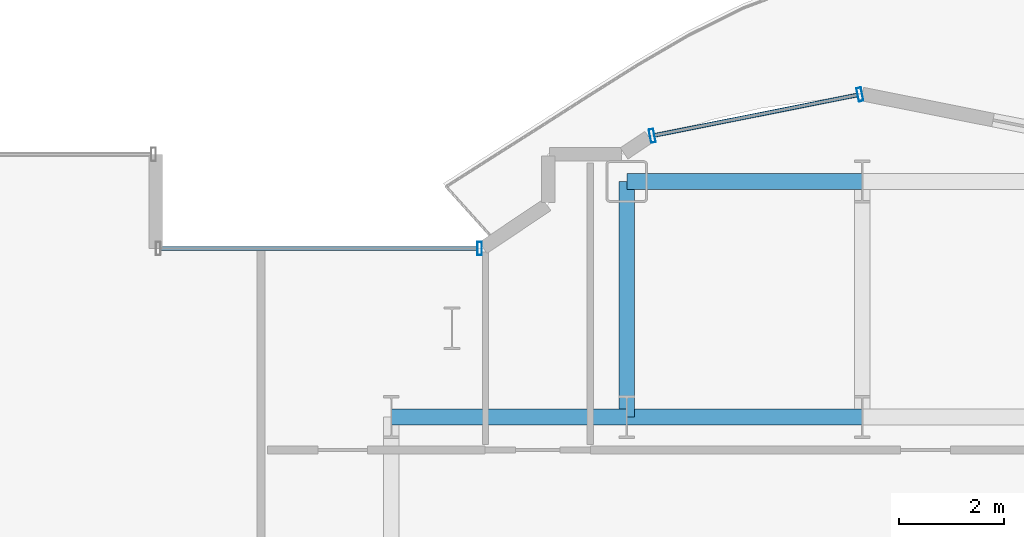
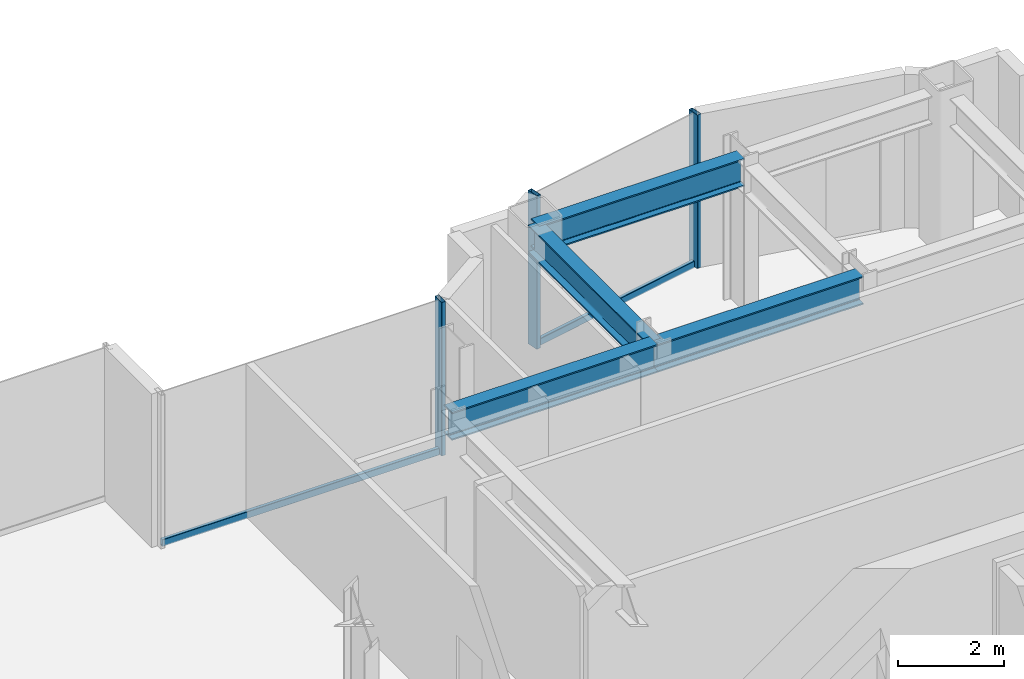
# One storey, part 14 of 25: 5 members, 4 beams, 2 elements without a shape of their own.
"""IFC4 building model written with IfcOpenShell, lengths in metres."""

import ifcopenshell
import ifcopenshell.guid

model = None  # the IFC model being written
_history = None  # IfcOwnerHistory: only IFC2X3 demands one
_inside = {}  # id of a spatial element -> (the spatial element, [elements in it])
_under = {}  # id of a project, library or spatial element -> (it, [spatial elements below it])
_declared = {}  # id of a project -> (the project, [libraries it declares])
_typed = {}  # id of a type object -> (the type object, [elements of that type])
_made_of = {}  # id of a material, layer set ... -> (it, [elements and type objects made of it])


def new_model(schema):
    """Start an empty IFC model of exactly this schema.

    Asked for "IFC4X3", IfcOpenShell would pick the latest addendum, in which some entities
    have other attributes; the version numbers below select the first issue.
    IFC2X3 requires an IfcOwnerHistory on every rooted entity: one is made here for all.
    """
    global model, _history
    if schema == "IFC4X3":
        model = ifcopenshell.file(schema_version=(4, 3, 0, 0))
    else:
        model = ifcopenshell.file(schema=schema)
    _inside.clear()
    _under.clear()
    _declared.clear()
    _typed.clear()
    _made_of.clear()
    _history = None
    if model.schema == "IFC2X3":
        org = make("IfcOrganization", Name="unknown")
        user = make(
            "IfcPersonAndOrganization",
            ThePerson=make("IfcPerson", FamilyName="unknown"),
            TheOrganization=org,
        )
        app = make(
            "IfcApplication",
            ApplicationDeveloper=org,
            Version="unknown",
            ApplicationFullName="unknown",
            ApplicationIdentifier="unknown",
        )
        _history = make(
            "IfcOwnerHistory",
            OwningUser=user,
            OwningApplication=app,
            ChangeAction="ADDED",
            CreationDate=0,
        )
    return model


def make(cls, **values):
    """One entity of the class cls with the attributes given. An attribute that is None is left unset."""
    return model.create_entity(
        cls, **{name: value for name, value in values.items() if value is not None}
    )


def rooted(cls, **values):
    """An entity with a GlobalId (a new one), such as an element, a storey or a relation."""
    return make(cls, GlobalId=ifcopenshell.guid.new(), OwnerHistory=_history, **values)


def si_unit(unit_type, name, prefix=None):
    """IfcSIUnit, for example si_unit("LENGTHUNIT", "METRE", prefix="MILLI")."""
    return make("IfcSIUnit", UnitType=unit_type, Prefix=prefix, Name=name)


def assignment(units):
    """IfcUnitAssignment: the units of a project."""
    return None if units is None else make("IfcUnitAssignment", Units=units)


def point(xyz):
    """IfcCartesianPoint."""
    return None if xyz is None else make("IfcCartesianPoint", Coordinates=xyz)


def direction(xyz):
    """IfcDirection."""
    return None if xyz is None else make("IfcDirection", DirectionRatios=xyz)


def frame(location, z_axis=None, x_axis=None):
    """IfcAxis2Placement3D, a coordinate frame: its origin and axes. An axis left out is left unset."""
    return make(
        "IfcAxis2Placement3D",
        Location=point(location),
        Axis=direction(z_axis),
        RefDirection=direction(x_axis),
    )


def frame_2d(location, x_axis=None):
    """IfcAxis2Placement2D, a coordinate frame in the plane: its origin and x axis."""
    return make(
        "IfcAxis2Placement2D", Location=point(location), RefDirection=direction(x_axis)
    )


def origin():
    """The frame at (0, 0, 0) with its axes left unset."""
    return frame((0.0, 0.0, 0.0))


def origin_2d():
    """The frame at (0, 0) in the plane with its x axis left unset."""
    return frame_2d((0.0, 0.0))


def place(relative_to, where):
    """IfcLocalPlacement: puts the frame where relative to a parent placement (None: the world)."""
    return make(
        "IfcLocalPlacement", PlacementRelTo=relative_to, RelativePlacement=where
    )


def context(
    kind, dimensions, precision=None, world=None, true_north=None, identifier=None
):
    """IfcGeometricRepresentationContext, for example the 3D "Model" context."""
    return make(
        "IfcGeometricRepresentationContext",
        ContextIdentifier=identifier,
        ContextType=kind,
        CoordinateSpaceDimension=dimensions,
        Precision=precision,
        WorldCoordinateSystem=world,
        TrueNorth=true_north,
    )


def subcontext(parent, identifier, kind, view, scale=None):
    """IfcGeometricRepresentationSubContext, for example "Body" below "Model"."""
    return make(
        "IfcGeometricRepresentationSubContext",
        ContextIdentifier=identifier,
        ContextType=kind,
        ParentContext=parent,
        TargetScale=scale,
        TargetView=view,
    )


def project(units=None, contexts=None):
    """IfcProject with its units and contexts."""
    return rooted(
        "IfcProject",
        Name="project",
        RepresentationContexts=contexts,
        UnitsInContext=assignment(units),
    )


def spatial(cls, under=None, at=None, **own):
    """A site, building, storey or space (cls), placed at a placement, below another one or the project."""
    s = rooted(cls, ObjectPlacement=at, **own)
    if under is not None:
        _under.setdefault(under.id(), (under, []))[1].append(s)
    return s


def profile(cls, at=None, kind="AREA", **sizes):
    """A parametric profile (cls). Its sizes go by their IFC names, for example OverallWidth=200.0."""
    return make(cls, ProfileType=kind, Position=at, **sizes)


def hollow_rectangle(**sizes):
    """IfcRectangleHollowProfileDef."""
    return profile("IfcRectangleHollowProfileDef", **sizes)


def i_section(**sizes):
    """IfcIShapeProfileDef."""
    return profile("IfcIShapeProfileDef", **sizes)


def extrude(swept, where, along, depth):
    """IfcExtrudedAreaSolid: the profile swept, set in the frame where, extruded along a direction by depth."""
    return make(
        "IfcExtrudedAreaSolid",
        SweptArea=swept,
        Position=where,
        ExtrudedDirection=direction(along),
        Depth=depth,
    )


def shape(context_of_items, identifier, shape_type, items):
    """IfcShapeRepresentation: the items that make up one representation, for example the "Body"."""
    return make(
        "IfcShapeRepresentation",
        ContextOfItems=context_of_items,
        RepresentationIdentifier=identifier,
        RepresentationType=shape_type,
        Items=items,
    )


def source(mapping_origin, context_of_items, identifier, shape_type, items):
    """IfcRepresentationMap: a shape defined once, which mapped items show again and again."""
    return make(
        "IfcRepresentationMap",
        MappingOrigin=mapping_origin,
        MappedRepresentation=shape(context_of_items, identifier, shape_type, items),
    )


def transform(
    local_origin,
    x_axis=None,
    y_axis=None,
    z_axis=None,
    scale=None,
    scale2=None,
    scale3=None,
    uniform=True,
):
    """IfcCartesianTransformationOperator3D, or its non-uniform kind. x_axis, y_axis, z_axis: its Axis1, 2, 3."""
    if uniform:
        return make(
            "IfcCartesianTransformationOperator3D",
            Axis1=direction(x_axis),
            Axis2=direction(y_axis),
            LocalOrigin=point(local_origin),
            Scale=scale,
            Axis3=direction(z_axis),
        )
    return make(
        "IfcCartesianTransformationOperator3DnonUniform",
        Axis1=direction(x_axis),
        Axis2=direction(y_axis),
        LocalOrigin=point(local_origin),
        Scale=scale,
        Axis3=direction(z_axis),
        Scale2=scale2,
        Scale3=scale3,
    )


def mapped(mapping_source, mapping_target):
    """IfcMappedItem: shows the shape of a source again, moved by a transform."""
    return make(
        "IfcMappedItem", MappingSource=mapping_source, MappingTarget=mapping_target
    )


def material(Name=None, Category=None):
    """IfcMaterial."""
    return make("IfcMaterial", Name=Name, Category=Category)


def layer(
    of_material, thickness, ventilated=None, Name=None, Category=None, Priority=None
):
    """IfcMaterialLayer: one layer of a wall or slab, of a material (None: an air gap)."""
    return make(
        "IfcMaterialLayer",
        Material=of_material,
        LayerThickness=thickness,
        IsVentilated=ventilated,
        Name=Name,
        Category=Category,
        Priority=Priority,
    )


def layer_set(layers, Name=None):
    """IfcMaterialLayerSet."""
    return make("IfcMaterialLayerSet", MaterialLayers=layers, LayerSetName=Name)


def material_profile(
    of_material, cross_section, Name=None, Category=None, Priority=None
):
    """IfcMaterialProfile: a cross section and its material."""
    return make(
        "IfcMaterialProfile",
        Name=Name,
        Material=of_material,
        Profile=cross_section,
        Priority=Priority,
        Category=Category,
    )


def profile_set(profiles, Name=None, composite=None):
    """IfcMaterialProfileSet."""
    return make(
        "IfcMaterialProfileSet",
        Name=Name,
        MaterialProfiles=profiles,
        CompositeProfile=composite,
    )


def made_of(thing, what):
    """Note that an element or type object is made of a material, layer set ...; save() writes the relation."""
    if what is not None:
        _made_of.setdefault(what.id(), (what, []))[1].append(thing)
    return thing


def type_object(cls, material=None, **own):
    """A type object (cls), such as IfcWallType, which elements share."""
    return made_of(rooted(cls, **own), material)


def element(
    cls,
    number,
    at=None,
    inside=None,
    cuts=None,
    type_object=None,
    material=None,
    context=None,
    identifier="Body",
    shape_type=None,
    held_by="IfcProductDefinitionShape",
    body=None,
    shapes=None,
    **own,
):
    """One element of the class cls, such as IfcWall. Its Tag is "e" and its number.

    at: its placement. inside: the storey or other place that contains it. cuts: it is an
    opening in that element (IfcRelVoidsElement). A single representation is given by context,
    identifier, shape_type and body (its items); several are given by shapes. held_by: the class
    of the entity that holds the representations. save() writes the other relations.
    """
    e = rooted(cls, Tag="e%d" % number, ObjectPlacement=at, **own)
    if body is not None:
        shapes = [shape(context, identifier, shape_type, body)]
    if shapes is not None:
        e.Representation = make(held_by, Representations=shapes)
    if inside is not None:
        _inside.setdefault(inside.id(), (inside, []))[1].append(e)
    if cuts is not None:
        rooted(
            "IfcRelVoidsElement", RelatingBuildingElement=cuts, RelatedOpeningElement=e
        )
    if type_object is not None:
        _typed.setdefault(type_object.id(), (type_object, []))[1].append(e)
    return made_of(e, material)


def aggregate(whole, parts):
    """IfcRelAggregates: a whole, such as a stair, and the parts it consists of."""
    return rooted("IfcRelAggregates", RelatingObject=whole, RelatedObjects=parts)


def save(model, path):
    """Write the relations noted so far, then the file.

    IfcRelAggregates (storeys below a building ...), IfcRelContainedInSpatialStructure (elements
    in a storey), IfcRelDefinesByType, IfcRelAssociatesMaterial and IfcRelDeclares: one each for
    every whole, place, type object, material and project.
    """
    for whole, parts in _under.values():
        aggregate(whole, parts)
    for where, things in _inside.values():
        rooted(
            "IfcRelContainedInSpatialStructure",
            RelatedElements=things,
            RelatingStructure=where,
        )
    for kind, things in _typed.values():
        rooted("IfcRelDefinesByType", RelatedObjects=things, RelatingType=kind)
    for what, things in _made_of.values():
        rooted("IfcRelAssociatesMaterial", RelatedObjects=things, RelatingMaterial=what)
    for by, libraries in _declared.values():
        rooted("IfcRelDeclares", RelatingContext=by, RelatedDefinitions=libraries)
    model.write(path)


model = new_model("IFC4")

# Units and contexts
model_context = context("Model", 3, precision=1e-05, world=origin(), true_north=direction((0.0, 1.0)))
body_context = subcontext(model_context, "Body", "Model", "MODEL_VIEW")
ifc_project = project(units=[si_unit("LENGTHUNIT", "METRE"), si_unit("AREAUNIT", "SQUARE_METRE"), si_unit("VOLUMEUNIT", "CUBIC_METRE"), si_unit("PLANEANGLEUNIT", "RADIAN"), si_unit("MASSUNIT", "GRAM", prefix="KILO")], contexts=[model_context])

# Site, building, storey
site_placement = place(None, origin())
site = spatial("IfcSite", under=ifc_project, at=site_placement, CompositionType="ELEMENT")
building_placement = place(site_placement, origin())
building = spatial("IfcBuilding", under=site, at=building_placement, Name="Nefas-Gora Pilgrimage Tower", CompositionType="ELEMENT")
storey_placement = place(building_placement, frame((0.0, 0.0, 194.39990234375)))
storey = spatial("IfcBuildingStorey", under=building, at=storey_placement, Name="L48", CompositionType="ELEMENT", Elevation=194.39990234375)

# Beams
ifc_material_1 = material(Name="Steel S355", Category="steel")
ifc_material_profile_1 = material_profile(ifc_material_1, i_section(OverallWidth=0.300048828125, OverallDepth=0.64990234375, WebThickness=0.01611328125, FlangeThickness=0.031005859375, FilletRadius=0.027099609375, at=origin_2d()), Name="HEB 650")
ifc_profile_set_1 = profile_set([ifc_material_profile_1], Name="Steel S355")
beam_type = type_object("IfcBeamType", Name="BM-GIR-HEB650", PredefinedType="BEAM", material=ifc_profile_set_1)
shared_shape_1 = source(origin(), body_context, "Body", "SweptSolid", [
    extrude(i_section(OverallWidth=0.300048828125, OverallDepth=0.64990234375, WebThickness=0.01611328125, FlangeThickness=0.031005859375, FilletRadius=0.027099609375, at=origin_2d()), origin(), (0.0, 0.0, 1.0), 4.5),
])
for number, where, z_axis, x_axis, name in (
    (1, (-11.25, 18.0, 3.22509765625), (1.0, 0.0, 0.0), (0.0, 1.0, 0.0), "L48 G-03 beam"),
    (2, (-6.75, 18.0, 3.22509765625), (0.0, 1.0, 0.0), (-1.0, 0.0, 0.0), "L48 G-03 beam"),
    (3, (-6.75, 18.0, 3.22509765625), (1.0, 0.0, 0.0), (0.0, 1.0, 0.0), "L48 G-03 beam"),
    (4, (-6.75, 22.5, 3.22509765625), (1.0, 0.0, 0.0), (0.0, 1.0, 0.0), "L48 G-03 beam"),
):
    element("IfcBeam", number, at=place(storey_placement, frame(where, z_axis=z_axis, x_axis=x_axis)), inside=storey, type_object=beam_type, Name=name, PredefinedType="BEAM", context=body_context, shape_type="MappedRepresentation", body=[
        mapped(shared_shape_1, transform((0.0, 0.0, 0.0), x_axis=(1.0, 0.0, 0.0), y_axis=(0.0, 1.0, 0.0), z_axis=(0.0, 0.0, 1.0), scale=1.0)),
    ])

# Curtain wall, members
ifc_material_2 = material(Name="Dark ceramic-fritted solar-control aluminium-glass curtain wall", Category="aluminium")
ifc_layer = layer(ifc_material_2, 0.219970703125)
ifc_layer_set = layer_set([ifc_layer], Name="Dark ceramic-fritted solar-control aluminium-glass curtain wall")
curtain_wall_type = type_object("IfcCurtainWallType", Name="CW-SYS-5", PredefinedType="NOTDEFINED", material=ifc_layer_set)
curtain_wall_1_placement = place(storey_placement, origin())
curtain_wall_1 = element("IfcCurtainWall", 5, at=curtain_wall_1_placement, inside=storey, type_object=curtain_wall_type, Name="L48 Unitised Curtain Wall CW5", PredefinedType="NOTDEFINED")
ifc_material_3 = material(Name="Anodised architectural aluminium", Category="aluminium")
ifc_material_profile_2 = material_profile(ifc_material_3, hollow_rectangle(XDim=0.090087890625, YDim=0.260009765625, WallThickness=0.006103515625, InnerFilletRadius=0.006103515625, OuterFilletRadius=0.011962890625, at=origin_2d()), Name="ALU MULLION 90x260")
ifc_profile_set_2 = profile_set([ifc_material_profile_2], Name="Anodised architectural aluminium")
member_type_1 = type_object("IfcMemberType", Name="CWM-MUL-5", PredefinedType="MULLION", material=ifc_profile_set_2)
shared_shape_2 = source(origin(), body_context, "Body", "SweptSolid", [
    extrude(hollow_rectangle(XDim=0.090087890625, YDim=0.260009765625, WallThickness=0.006103515625, InnerFilletRadius=0.006103515625, OuterFilletRadius=0.011962890625, at=origin_2d()), origin(), (0.0, 0.0, 1.0), 3.550048828125),
])
member_1_placement = place(storey_placement, frame((-2.294189453125, 24.16357421875, 0.0), z_axis=(0.0, 0.0, 1.0), x_axis=(-0.980782896852, -0.195102304554, 0.0)))
member_1 = element("IfcMember", 6, at=member_1_placement, type_object=member_type_1, Name="CW5 Mullion 1", PredefinedType="MULLION", context=body_context, shape_type="MappedRepresentation", body=[
    mapped(shared_shape_2, transform((0.0, 0.0, 0.0), x_axis=(1.0, 0.0, 0.0), y_axis=(0.0, 1.0, 0.0), z_axis=(0.0, 0.0, 1.0), scale=1.0)),
])
member_2_placement = place(storey_placement, frame((-6.26318359375, 23.3740234375, 0.0), z_axis=(0.0, 0.0, 1.0), x_axis=(-0.980782896852, -0.195102304554, 0.0)))
member_2 = element("IfcMember", 7, at=member_2_placement, type_object=member_type_1, Name="CW5 Mullion 2", PredefinedType="MULLION", context=body_context, shape_type="MappedRepresentation", body=[
    mapped(shared_shape_2, transform((0.0, 0.0, 0.0), x_axis=(1.0, 0.0, 0.0), y_axis=(0.0, 1.0, 0.0), z_axis=(0.0, 0.0, 1.0), scale=1.0)),
])

curtain_wall_2_placement = place(storey_placement, origin())
curtain_wall_2 = element("IfcCurtainWall", 8, at=curtain_wall_2_placement, inside=storey, type_object=curtain_wall_type, Name="L48 Unitised Curtain Wall CW5", PredefinedType="NOTDEFINED")
member_3_placement = place(storey_placement, frame((-9.56298828125, 21.219970703125, 0.0), z_axis=(0.0, 0.0, 1.0), x_axis=(-1.0, 0.0, 0.0)))
member_3 = element("IfcMember", 9, at=member_3_placement, type_object=member_type_1, Name="CW5 Mullion 1", PredefinedType="MULLION", context=body_context, shape_type="MappedRepresentation", body=[
    mapped(shared_shape_2, transform((0.0, 0.0, 0.0), x_axis=(1.0, 0.0, 0.0), y_axis=(0.0, 1.0, 0.0), z_axis=(0.0, 0.0, 1.0), scale=1.0)),
])
ifc_material_profile_3 = material_profile(ifc_material_3, hollow_rectangle(XDim=0.080078125, YDim=0.159912109375, WallThickness=0.00439453125, InnerFilletRadius=0.00439453125, OuterFilletRadius=0.009033203125, at=origin_2d()), Name="ALU TRANSOM 80x160")
ifc_profile_set_3 = profile_set([ifc_material_profile_3], Name="Anodised architectural aluminium")
member_type_2 = type_object("IfcMemberType", Name="CWM-TRN-5", PredefinedType="USERDEFINED", material=ifc_profile_set_3)
shared_shape_3 = source(origin(), body_context, "Body", "SweptSolid", [
    extrude(hollow_rectangle(XDim=0.080078125, YDim=0.159912109375, WallThickness=0.00439453125, InnerFilletRadius=0.00439453125, OuterFilletRadius=0.009033203125, at=origin_2d()), origin(), (0.0, 0.0, 1.0), 6.052001953125),
])
member_4_placement = place(storey_placement, frame((-9.60791015625, 21.219970703125, 0.050048828125), z_axis=(-1.0, 0.0, 0.0), x_axis=(0.0, -1.0, 0.0)))
member_4 = element("IfcMember", 10, at=member_4_placement, type_object=member_type_2, Name="CW5 Spandrel Transom", ObjectType="TRANSOM", PredefinedType="USERDEFINED", context=body_context, shape_type="MappedRepresentation", body=[
    mapped(shared_shape_3, transform((0.0, 0.0, 0.0), x_axis=(1.0, 0.0, 0.0), y_axis=(0.0, 1.0, 0.0), z_axis=(0.0, 0.0, 1.0), scale=1.0)),
])
aggregate(curtain_wall_2, [member_3, member_4])

# Member
shared_shape_4 = source(origin(), body_context, "Body", "SweptSolid", [
    extrude(hollow_rectangle(XDim=0.080078125, YDim=0.159912109375, WallThickness=0.00439453125, InnerFilletRadius=0.00439453125, OuterFilletRadius=0.009033203125, at=origin_2d()), origin(), (0.0, 0.0, 1.0), 3.95654296875),
])
member_5_placement = place(storey_placement, frame((-2.33837890625, 24.15478515625, 0.050048828125), z_axis=(-0.980781880918, -0.195107411605, 0.0), x_axis=(0.195107411605, -0.980781880918, 0.0)))
member_5 = element("IfcMember", 11, at=member_5_placement, type_object=member_type_2, Name="CW5 Spandrel Transom", ObjectType="TRANSOM", PredefinedType="USERDEFINED", context=body_context, shape_type="MappedRepresentation", body=[
    mapped(shared_shape_4, transform((0.0, 0.0, 0.0), x_axis=(1.0, 0.0, 0.0), y_axis=(0.0, 1.0, 0.0), z_axis=(0.0, 0.0, 1.0), scale=1.0)),
])

aggregate(curtain_wall_1, [member_1, member_2, member_5])

save(model, "model.ifc")
